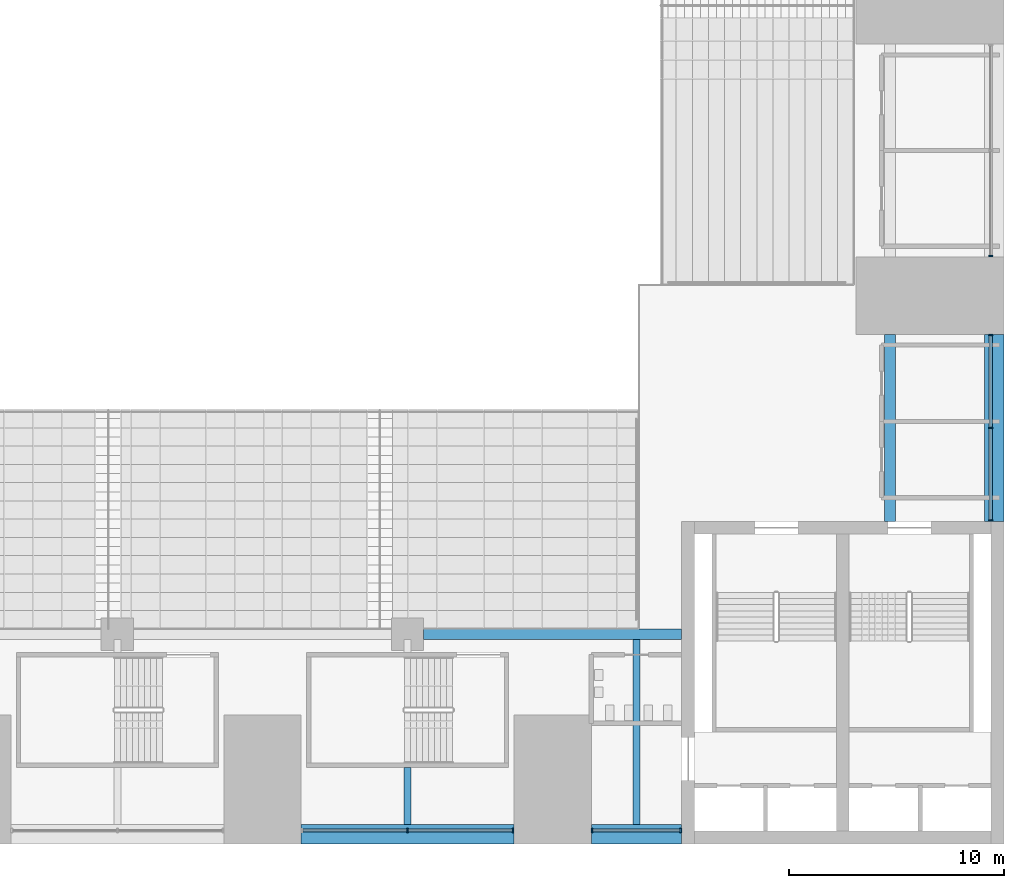
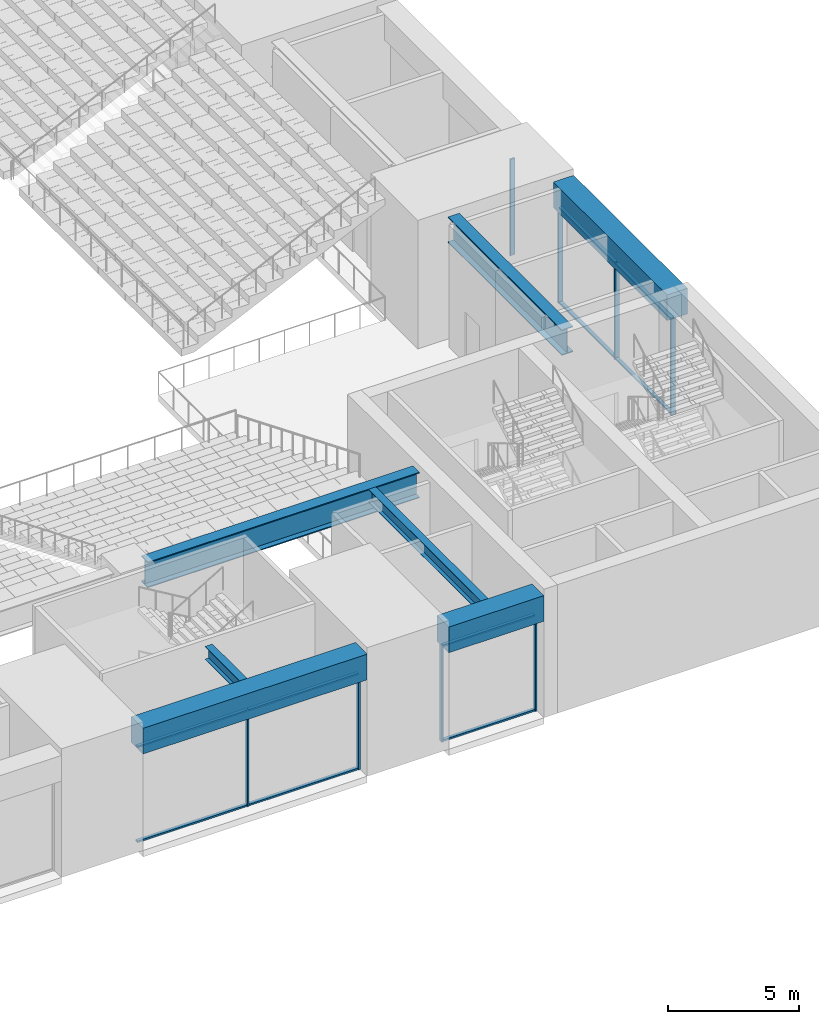
# One storey, part 8 of 61: 18 members, 7 beams, 4 elements without a shape of their own.
"""IFC4 building model written with IfcOpenShell, lengths in metres."""

from ifc_helpers import new_model, si_unit, direction, frame, origin, origin_2d, place, context, subcontext, project, spatial, rectangle, i_section, extrude, material, layer, layer_set, material_profile, profile_set, type_object, element, aggregate, save


model = new_model("IFC4")

# Units and contexts
model_context = context("Model", 3, precision=1e-05, world=origin(), true_north=direction((0.0, 1.0)))
body_context = subcontext(model_context, "Body", "Model", "MODEL_VIEW")
ifc_project = project(units=[si_unit("LENGTHUNIT", "METRE"), si_unit("AREAUNIT", "SQUARE_METRE"), si_unit("VOLUMEUNIT", "CUBIC_METRE"), si_unit("PLANEANGLEUNIT", "RADIAN"), si_unit("MASSUNIT", "GRAM", prefix="KILO")], contexts=[model_context])

# Site, building, storey
site_placement = place(None, origin())
site = spatial("IfcSite", under=ifc_project, at=site_placement, CompositionType="ELEMENT")
building_placement = place(site_placement, origin())
building = spatial("IfcBuilding", under=site, at=building_placement, Name="Corbelhall Arena Tower", CompositionType="ELEMENT")
storey_placement = place(building_placement, frame((0.0, 0.0, 31.0)))
storey = spatial("IfcBuildingStorey", under=building, at=storey_placement, Name="L04", CompositionType="ELEMENT", Elevation=31.0)

# Curtain wall, members
ifc_material_1 = material(Name="Aluminium black anodised", Category="aluminium")
ifc_layer = layer(ifc_material_1, 0.239990234375)
ifc_layer_set = layer_set([ifc_layer], Name="EV-CW4 Arena concourse glazing")
curtain_wall_type = type_object("IfcCurtainWallType", Name="EV-CW4 Arena concourse glazing", PredefinedType="NOTDEFINED", material=ifc_layer_set)
curtain_wall_1_placement = place(storey_placement, origin())
curtain_wall_1 = element("IfcCurtainWall", 1, at=curtain_wall_1_placement, inside=storey, type_object=curtain_wall_type, Name="Curtain wall CW4", PredefinedType="NOTDEFINED")
ifc_material_profile_1 = material_profile(ifc_material_1, rectangle(XDim=0.199951171875, YDim=0.074951171875, at=origin_2d()))
ifc_profile_set_1 = profile_set([ifc_material_profile_1], Name="Aluminium black anodised")
member_type_1 = type_object("IfcMemberType", Name="EV-CW4-MULLION", PredefinedType="MULLION", material=ifc_profile_set_1)
member_1_placement = place(storey_placement, frame((20.25, -38.3798828125, 0.0), z_axis=(0.0, 0.0, 1.0), x_axis=(0.0, 1.0, 0.0)))
member_1 = element("IfcMember", 2, at=member_1_placement, type_object=member_type_1, Name="CW4 mullion 2", PredefinedType="MULLION", context=body_context, shape_type="SweptSolid", body=[
    extrude(rectangle(XDim=0.199951171875, YDim=0.074951171875, at=origin_2d()), origin(), (0.0, 0.0, 1.0), 4.5),
])
member_2_placement = place(storey_placement, frame((25.16259765625, -38.3798828125, 0.0), z_axis=(0.0, 0.0, 1.0), x_axis=(0.0, 1.0, 0.0)))
member_2 = element("IfcMember", 3, at=member_2_placement, type_object=member_type_1, Name="CW4 mullion 3", PredefinedType="MULLION", context=body_context, shape_type="SweptSolid", body=[
    extrude(rectangle(XDim=0.199951171875, YDim=0.074951171875, at=origin_2d()), origin(), (0.0, 0.0, 1.0), 4.5),
])

curtain_wall_2_placement = place(storey_placement, origin())
curtain_wall_2 = element("IfcCurtainWall", 4, at=curtain_wall_2_placement, inside=storey, type_object=curtain_wall_type, Name="Curtain wall CW4A", PredefinedType="NOTDEFINED")
member_3_placement = place(storey_placement, frame((28.83740234375, -38.3798828125, 0.0), z_axis=(0.0, 0.0, 1.0), x_axis=(0.0, 1.0, 0.0)))
member_3 = element("IfcMember", 5, at=member_3_placement, type_object=member_type_1, Name="CW4A mullion 1", PredefinedType="MULLION", context=body_context, shape_type="SweptSolid", body=[
    extrude(rectangle(XDim=0.199951171875, YDim=0.074951171875, at=origin_2d()), origin(), (0.0, 0.0, 1.0), 4.5),
])
member_4_placement = place(storey_placement, frame((32.96240234375, -38.3798828125, 0.0), z_axis=(0.0, 0.0, 1.0), x_axis=(0.0, 1.0, 0.0)))
member_4 = element("IfcMember", 6, at=member_4_placement, type_object=member_type_1, Name="CW4A mullion 2", PredefinedType="MULLION", context=body_context, shape_type="SweptSolid", body=[
    extrude(rectangle(XDim=0.199951171875, YDim=0.074951171875, at=origin_2d()), origin(), (0.0, 0.0, 1.0), 4.5),
])

curtain_wall_3_placement = place(storey_placement, origin())
curtain_wall_3 = element("IfcCurtainWall", 7, at=curtain_wall_3_placement, inside=storey, type_object=curtain_wall_type, Name="Curtain wall CW4B", PredefinedType="NOTDEFINED")
member_5_placement = place(storey_placement, frame((47.3798828125, -23.96240234375, 0.0), z_axis=(0.0, 0.0, 1.0), x_axis=(-1.0, 0.0, 0.0)))
member_5 = element("IfcMember", 8, at=member_5_placement, type_object=member_type_1, Name="CW4B mullion 1", PredefinedType="MULLION", context=body_context, shape_type="SweptSolid", body=[
    extrude(rectangle(XDim=0.199951171875, YDim=0.074951171875, at=origin_2d()), origin(), (0.0, 0.0, 1.0), 4.5),
])
member_6_placement = place(storey_placement, frame((47.3798828125, -19.64990234375, 0.0), z_axis=(0.0, 0.0, 1.0), x_axis=(-1.0, 0.0, 0.0)))
member_6 = element("IfcMember", 9, at=member_6_placement, type_object=member_type_1, Name="CW4B mullion 2", PredefinedType="MULLION", context=body_context, shape_type="SweptSolid", body=[
    extrude(rectangle(XDim=0.199951171875, YDim=0.074951171875, at=origin_2d()), origin(), (0.0, 0.0, 1.0), 4.5),
])
member_7_placement = place(storey_placement, frame((47.3798828125, -15.33740234375, 0.0), z_axis=(0.0, 0.0, 1.0), x_axis=(-1.0, 0.0, 0.0)))
member_7 = element("IfcMember", 10, at=member_7_placement, type_object=member_type_1, Name="CW4B mullion 3", PredefinedType="MULLION", context=body_context, shape_type="SweptSolid", body=[
    extrude(rectangle(XDim=0.199951171875, YDim=0.074951171875, at=origin_2d()), origin(), (0.0, 0.0, 1.0), 4.5),
])

# Curtain wall, member
curtain_wall_4_placement = place(storey_placement, origin())
curtain_wall_4 = element("IfcCurtainWall", 11, at=curtain_wall_4_placement, inside=storey, type_object=curtain_wall_type, Name="Curtain wall CW4", PredefinedType="NOTDEFINED")
member_8_placement = place(storey_placement, frame((47.3798828125, -11.66259765625, 0.0), z_axis=(0.0, 0.0, 1.0), x_axis=(-1.0, 0.0, 0.0)))
member_8 = element("IfcMember", 12, at=member_8_placement, type_object=member_type_1, Name="CW4 mullion 1", PredefinedType="MULLION", context=body_context, shape_type="SweptSolid", body=[
    extrude(rectangle(XDim=0.199951171875, YDim=0.074951171875, at=origin_2d()), origin(), (0.0, 0.0, 1.0), 4.5),
])
aggregate(curtain_wall_4, [member_8])

# Member
ifc_material_profile_2 = material_profile(ifc_material_1, rectangle(XDim=0.14990234375, YDim=0.074951171875, at=origin_2d()))
ifc_profile_set_2 = profile_set([ifc_material_profile_2], Name="Aluminium black anodised")
member_type_2 = type_object("IfcMemberType", Name="EV-CW4-TRANSOM", PredefinedType="USERDEFINED", material=ifc_profile_set_2)
member_9_placement = place(storey_placement, frame((15.375, -38.3798828125, 0.03759765625), z_axis=(1.0, 0.0, 0.0), x_axis=(0.0, 1.0, 0.0)))
member_9 = element("IfcMember", 13, at=member_9_placement, type_object=member_type_2, Name="CW4 transom 1.1", ObjectType="transom", PredefinedType="USERDEFINED", context=body_context, shape_type="SweptSolid", body=[
    extrude(rectangle(XDim=0.14990234375, YDim=0.074951171875, at=origin_2d()), origin(), (0.0, 0.0, 1.0), 4.83740234375),
])

member_10_placement = place(storey_placement, frame((15.375, -38.3798828125, 4.46240234375), z_axis=(1.0, 0.0, 0.0), x_axis=(0.0, 1.0, 0.0)))
member_10 = element("IfcMember", 14, at=member_10_placement, type_object=member_type_2, Name="CW4 transom 1.2", ObjectType="transom", PredefinedType="USERDEFINED", context=body_context, shape_type="SweptSolid", body=[
    extrude(rectangle(XDim=0.14990234375, YDim=0.074951171875, at=origin_2d()), origin(), (0.0, 0.0, 1.0), 4.83740234375),
])

member_11_placement = place(storey_placement, frame((20.28759765625, -38.3798828125, 0.03759765625), z_axis=(1.0, 0.0, 0.0), x_axis=(0.0, 1.0, 0.0)))
member_11 = element("IfcMember", 15, at=member_11_placement, type_object=member_type_2, Name="CW4 transom 2.1", ObjectType="transom", PredefinedType="USERDEFINED", context=body_context, shape_type="SweptSolid", body=[
    extrude(rectangle(XDim=0.14990234375, YDim=0.074951171875, at=origin_2d()), origin(), (0.0, 0.0, 1.0), 4.83740234375),
])

member_12_placement = place(storey_placement, frame((20.28759765625, -38.3798828125, 4.46240234375), z_axis=(1.0, 0.0, 0.0), x_axis=(0.0, 1.0, 0.0)))
member_12 = element("IfcMember", 16, at=member_12_placement, type_object=member_type_2, Name="CW4 transom 2.2", ObjectType="transom", PredefinedType="USERDEFINED", context=body_context, shape_type="SweptSolid", body=[
    extrude(rectangle(XDim=0.14990234375, YDim=0.074951171875, at=origin_2d()), origin(), (0.0, 0.0, 1.0), 4.83740234375),
])

aggregate(curtain_wall_1, [member_1, member_2, member_9, member_10, member_11, member_12])

member_13_placement = place(storey_placement, frame((28.875, -38.3798828125, 0.03759765625), z_axis=(1.0, 0.0, 0.0), x_axis=(0.0, 1.0, 0.0)))
member_13 = element("IfcMember", 17, at=member_13_placement, type_object=member_type_2, Name="CW4A transom 1.1", ObjectType="transom", PredefinedType="USERDEFINED", context=body_context, shape_type="SweptSolid", body=[
    extrude(rectangle(XDim=0.14990234375, YDim=0.074951171875, at=origin_2d()), origin(), (0.0, 0.0, 1.0), 4.050048828125),
])

member_14_placement = place(storey_placement, frame((28.875, -38.3798828125, 4.46240234375), z_axis=(1.0, 0.0, 0.0), x_axis=(0.0, 1.0, 0.0)))
member_14 = element("IfcMember", 18, at=member_14_placement, type_object=member_type_2, Name="CW4A transom 1.2", ObjectType="transom", PredefinedType="USERDEFINED", context=body_context, shape_type="SweptSolid", body=[
    extrude(rectangle(XDim=0.14990234375, YDim=0.074951171875, at=origin_2d()), origin(), (0.0, 0.0, 1.0), 4.050048828125),
])

aggregate(curtain_wall_2, [member_3, member_4, member_13, member_14])

member_15_placement = place(storey_placement, frame((47.3798828125, -23.925048828125, 0.03759765625), z_axis=(0.0, 1.0, 0.0), x_axis=(-1.0, 0.0, 0.0)))
member_15 = element("IfcMember", 19, at=member_15_placement, type_object=member_type_2, Name="CW4B transom 1.1", ObjectType="transom", PredefinedType="USERDEFINED", context=body_context, shape_type="SweptSolid", body=[
    extrude(rectangle(XDim=0.14990234375, YDim=0.074951171875, at=origin_2d()), origin(), (0.0, 0.0, 1.0), 4.237548828125),
])

member_16_placement = place(storey_placement, frame((47.3798828125, -23.925048828125, 4.46240234375), z_axis=(0.0, 1.0, 0.0), x_axis=(-1.0, 0.0, 0.0)))
member_16 = element("IfcMember", 20, at=member_16_placement, type_object=member_type_2, Name="CW4B transom 1.2", ObjectType="transom", PredefinedType="USERDEFINED", context=body_context, shape_type="SweptSolid", body=[
    extrude(rectangle(XDim=0.14990234375, YDim=0.074951171875, at=origin_2d()), origin(), (0.0, 0.0, 1.0), 4.237548828125),
])

member_17_placement = place(storey_placement, frame((47.3798828125, -19.612548828125, 0.03759765625), z_axis=(0.0, 1.0, 0.0), x_axis=(-1.0, 0.0, 0.0)))
member_17 = element("IfcMember", 21, at=member_17_placement, type_object=member_type_2, Name="CW4B transom 2.1", ObjectType="transom", PredefinedType="USERDEFINED", context=body_context, shape_type="SweptSolid", body=[
    extrude(rectangle(XDim=0.14990234375, YDim=0.074951171875, at=origin_2d()), origin(), (0.0, 0.0, 1.0), 4.237548828125),
])

member_18_placement = place(storey_placement, frame((47.3798828125, -19.612548828125, 4.46240234375), z_axis=(0.0, 1.0, 0.0), x_axis=(-1.0, 0.0, 0.0)))
member_18 = element("IfcMember", 22, at=member_18_placement, type_object=member_type_2, Name="CW4B transom 2.2", ObjectType="transom", PredefinedType="USERDEFINED", context=body_context, shape_type="SweptSolid", body=[
    extrude(rectangle(XDim=0.14990234375, YDim=0.074951171875, at=origin_2d()), origin(), (0.0, 0.0, 1.0), 4.237548828125),
])

aggregate(curtain_wall_3, [member_5, member_6, member_7, member_15, member_16, member_17, member_18])

# Beams
ifc_material_2 = material(Name="Steel ASTM A992 Gr50", Category="steel")
ifc_material_profile_3 = material_profile(ifc_material_2, i_section(OverallWidth=0.323974609375, OverallDepth=0.611083984375, WebThickness=0.0126953125, FlangeThickness=0.01904296875, at=origin_2d()))
ifc_profile_set_3 = profile_set([ifc_material_profile_3], Name="Steel ASTM A992 Gr50")
beam_type_1 = type_object("IfcBeamType", Name="PO-BEAM-W24X104", PredefinedType="BEAM", material=ifc_profile_set_3)
beam_1_placement = place(storey_placement, frame((20.25, -35.449951171875, 5.39453125), z_axis=(0.0, -1.0, 0.0), x_axis=(1.0, 0.0, 0.0)))
element("IfcBeam", 23, at=beam_1_placement, inside=storey, type_object=beam_type_1, Name="CONCOURSE BEAM", PredefinedType="BEAM", context=body_context, shape_type="SweptSolid", body=[
    extrude(i_section(OverallWidth=0.323974609375, OverallDepth=0.611083984375, WebThickness=0.0126953125, FlangeThickness=0.01904296875, at=origin_2d()), origin(), (0.0, 0.0, 1.0), 2.650146484375),
])
beam_2_placement = place(storey_placement, frame((30.89990234375, -29.5, 5.39453125), z_axis=(0.0, -1.0, 0.0), x_axis=(1.0, 0.0, 0.0)))
element("IfcBeam", 24, at=beam_2_placement, inside=storey, type_object=beam_type_1, Name="CONCOURSE BEAM", PredefinedType="BEAM", context=body_context, shape_type="SweptSolid", body=[
    extrude(i_section(OverallWidth=0.323974609375, OverallDepth=0.611083984375, WebThickness=0.0126953125, FlangeThickness=0.01904296875, at=origin_2d()), origin(), (0.0, 0.0, 1.0), 8.60009765625),
])
ifc_material_3 = material(Name="Steel ASTM A572 Gr50", Category="steel")
ifc_material_profile_4 = material_profile(ifc_material_3, i_section(OverallWidth=0.5, OverallDepth=1.199951171875, WebThickness=0.02490234375, FlangeThickness=0.044921875, at=origin_2d()))
ifc_profile_set_4 = profile_set([ifc_material_profile_4], Name="Steel ASTM A572 Gr50")
beam_type_2 = type_object("IfcBeamType", Name="PO-GIRDER-PG1200X500X25X45", PredefinedType="BEAM", material=ifc_profile_set_4)
beam_3_placement = place(storey_placement, frame((21.0, -29.25, 5.10009765625), z_axis=(1.0, 0.0, 0.0), x_axis=(0.0, 1.0, 0.0)))
element("IfcBeam", 25, at=beam_3_placement, inside=storey, type_object=beam_type_2, Name="RING GIRDER", PredefinedType="BEAM", context=body_context, shape_type="SweptSolid", body=[
    extrude(i_section(OverallWidth=0.5, OverallDepth=1.199951171875, WebThickness=0.02490234375, FlangeThickness=0.044921875, at=origin_2d()), origin(), (0.0, 0.0, 1.0), 12.0),
])
beam_4_placement = place(storey_placement, frame((42.699951171875, -24.0, 5.10009765625), z_axis=(0.0, 1.0, 0.0), x_axis=(-1.0, 0.0, 0.0)))
element("IfcBeam", 26, at=beam_4_placement, inside=storey, type_object=beam_type_2, Name="INNER END GIRDER", PredefinedType="BEAM", context=body_context, shape_type="SweptSolid", body=[
    extrude(i_section(OverallWidth=0.5, OverallDepth=1.199951171875, WebThickness=0.02490234375, FlangeThickness=0.044921875, at=origin_2d()), origin(), (0.0, 0.0, 1.0), 8.699951171875),
])
ifc_material_4 = material(Name="Concrete C80/95", Category="concrete")
ifc_material_profile_5 = material_profile(ifc_material_4, rectangle(XDim=0.89990234375, YDim=1.199951171875, at=origin_2d()))
ifc_profile_set_5 = profile_set([ifc_material_profile_5], Name="Concrete C80/95")
beam_type_3 = type_object("IfcBeamType", Name="PO-RING-BEAM", PredefinedType="BEAM", material=ifc_profile_set_5)
beam_5_placement = place(storey_placement, frame((15.300048828125, -38.550048828125, 5.10009765625), z_axis=(1.0, 0.0, 0.0), x_axis=(0.0, 1.0, 0.0)))
element("IfcBeam", 27, at=beam_5_placement, inside=storey, type_object=beam_type_3, Name="RING GIRDER L05 S5", PredefinedType="BEAM", context=body_context, shape_type="SweptSolid", body=[
    extrude(rectangle(XDim=0.89990234375, YDim=1.199951171875, at=origin_2d()), origin(), (0.0, 0.0, 1.0), 9.89990234375),
])
beam_6_placement = place(storey_placement, frame((28.800048828125, -38.550048828125, 5.10009765625), z_axis=(1.0, 0.0, 0.0), x_axis=(0.0, 1.0, 0.0)))
element("IfcBeam", 28, at=beam_6_placement, inside=storey, type_object=beam_type_3, Name="RING GIRDER L05 S6", PredefinedType="BEAM", context=body_context, shape_type="SweptSolid", body=[
    extrude(rectangle(XDim=0.89990234375, YDim=1.199951171875, at=origin_2d()), origin(), (0.0, 0.0, 1.0), 4.199951171875),
])
beam_7_placement = place(storey_placement, frame((47.550048828125, -24.0, 5.10009765625), z_axis=(0.0, 1.0, 0.0), x_axis=(-1.0, 0.0, 0.0)))
element("IfcBeam", 29, at=beam_7_placement, inside=storey, type_object=beam_type_3, Name="RING GIRDER L05 E1", PredefinedType="BEAM", context=body_context, shape_type="SweptSolid", body=[
    extrude(rectangle(XDim=0.89990234375, YDim=1.199951171875, at=origin_2d()), origin(), (0.0, 0.0, 1.0), 8.699951171875),
])

save(model, "model.ifc")
